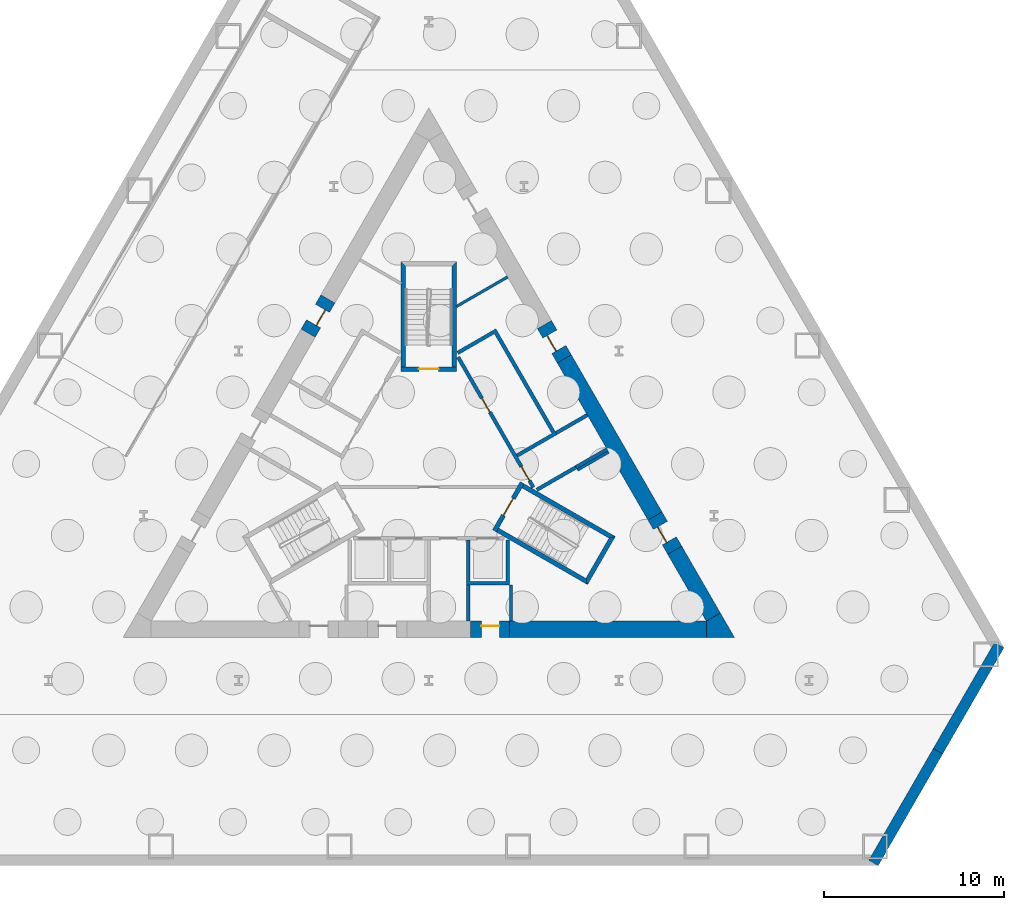
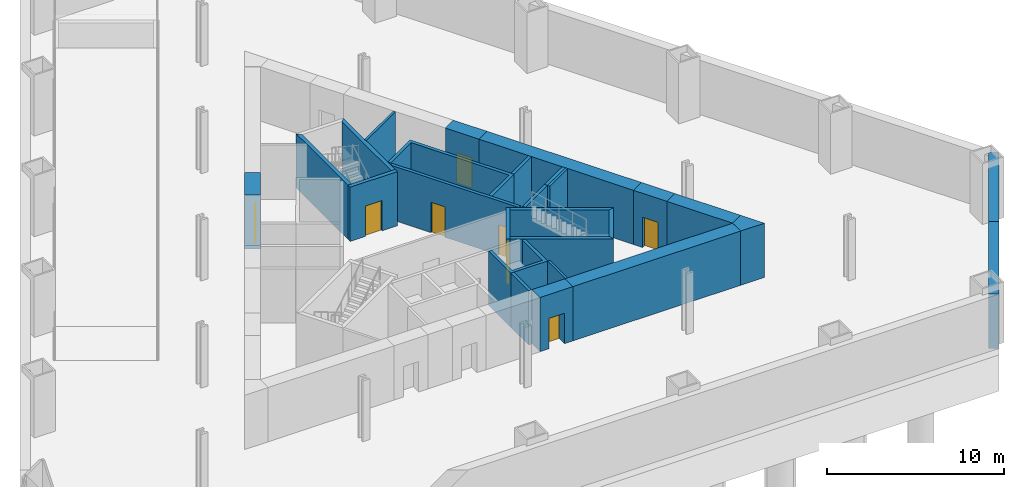
# One storey, part 3 of 6: 27 walls, 8 doors, 8 openings.
"""IFC4 building model written with IfcOpenShell, lengths in metres."""

from ifc_helpers import new_model, si_unit, direction, frame, frame_2d, origin, place, context, subcontext, project, spatial, polyline, rectangle, outline, extrude, material, layer, layer_set, type_object, element, fill, save


model = new_model("IFC4")

# Units and contexts
model_context = context("Model", 3, precision=1e-05, world=origin(), true_north=direction((0.0, 1.0)))
body_context = subcontext(model_context, "Body", "Model", "MODEL_VIEW")
ifc_project = project(units=[si_unit("LENGTHUNIT", "METRE"), si_unit("AREAUNIT", "SQUARE_METRE"), si_unit("VOLUMEUNIT", "CUBIC_METRE"), si_unit("PLANEANGLEUNIT", "RADIAN"), si_unit("MASSUNIT", "GRAM", prefix="KILO")], contexts=[model_context])

# Site, building, storey
site_placement = place(None, origin())
site = spatial("IfcSite", under=ifc_project, at=site_placement, CompositionType="ELEMENT")
building_placement = place(site_placement, origin())
building = spatial("IfcBuilding", under=site, at=building_placement, Name="Cormorant Prow Tower", CompositionType="ELEMENT")
storey_placement = place(building_placement, frame((0.0, 0.0, -8.39990234375)))
storey = spatial("IfcBuildingStorey", under=building, at=storey_placement, Name="B2", CompositionType="ELEMENT", Elevation=-8.39990234375)

# Walls
ifc_material_1 = material(Name="Concrete C45/55", Category="concrete")
ifc_layer_1 = layer(ifc_material_1, 0.60009765625)
ifc_layer_set_1 = layer_set([ifc_layer_1], Name="Concrete C45/55")
wall_type_1 = type_object("IfcWallType", Name="Basement retaining wall 600", PredefinedType="SOLIDWALL", material=ifc_layer_set_1)
for number, where, z_axis, x_axis, name in (
    (1, (24.740234375, -22.36669921875, 0.0), (0.0, 0.0, 1.0), (0.500008229653, 0.86602065234, 0.0), "Basement retaining wall 2 at B2"),
    (2, (28.153564453125, -16.45458984375, 0.0), (0.0, 0.0, 1.0), (0.499993492265, 0.866029160995, 0.0), "Basement retaining wall 3 at B2"),
):
    element("IfcWall", number, at=place(storey_placement, frame(where, z_axis=z_axis, x_axis=x_axis)), inside=storey, type_object=wall_type_1, Name=name, PredefinedType="SOLIDWALL", context=body_context, shape_type="SweptSolid", body=[
        extrude(rectangle(XDim=7.17333984375, YDim=0.60009765625, at=frame_2d((3.586669921875, 0.0))), origin(), (0.0, 0.0, 1.0), 3.75),
    ])
ifc_material_2 = material(Name="Gypsum board partition")
ifc_layer_2 = layer(ifc_material_2, 0.14990234375)
ifc_layer_set_2 = layer_set([ifc_layer_2], Name="Gypsum board partition")
wall_type_2 = type_object("IfcWallType", Name="Core partition 150", PredefinedType="PARTITIONING", material=ifc_layer_set_2)
wall_1_placement = place(storey_placement, frame((4.574951171875, -6.906005859375, 0.0), z_axis=(0.0, 0.0, 1.0), x_axis=(0.0, -1.0, 0.0)))
element("IfcWall", 3, at=wall_1_placement, inside=storey, type_object=wall_type_2, Name="Service room partition", PredefinedType="PARTITIONING", context=body_context, shape_type="SweptSolid", body=[
    extrude(rectangle(XDim=2.009033203125, YDim=0.14990234375, at=frame_2d((1.00439453125, 0.0))), origin(), (0.0, 0.0, 1.0), 3.75),
])
wall_2_placement = place(storey_placement, frame((8.268310546875, -0.509033203125, 0.0), z_axis=(0.0, 0.0, 1.0), x_axis=(0.866035824272, 0.499981950752, 0.0)))
element("IfcWall", 4, at=wall_2_placement, inside=storey, type_object=wall_type_2, Name="Service room partition", PredefinedType="PARTITIONING", context=body_context, shape_type="SweptSolid", body=[
    extrude(rectangle(XDim=2.0087890625, YDim=0.14990234375, at=frame_2d((1.00439453125, 0.0))), origin(), (0.0, 0.0, 1.0), 3.75),
])
wall_3_placement = place(storey_placement, frame((4.38525390625, 10.234375, 0.0), z_axis=(0.0, 0.0, 1.0), x_axis=(-0.866006439694, -0.50003284533, 0.0)))
element("IfcWall", 5, at=wall_3_placement, inside=storey, type_object=wall_type_2, Name="Service room partition", PredefinedType="PARTITIONING", context=body_context, shape_type="SweptSolid", body=[
    extrude(rectangle(XDim=3.290771484375, YDim=0.14990234375, at=frame_2d((1.6455078125, 0.0))), origin(), (0.0, 0.0, 1.0), 3.75),
])
ifc_material_3 = material(Name="Concrete 8000 psi", Category="concrete")
ifc_layer_3 = layer(ifc_material_3, 0.89990234375)
ifc_layer_set_3 = layer_set([ifc_layer_3], Name="Concrete 8000 psi")
wall_type_3 = type_object("IfcWallType", Name="Core shear wall 900", PredefinedType="SHEAR", material=ifc_layer_set_3)
wall_4_placement = place(storey_placement, frame((4.47998046875, -9.364990234375, 0.0), z_axis=(0.0, 0.0, 1.0), x_axis=(1.0, 0.0, 0.0)))
element("IfcWall", 6, at=wall_4_placement, inside=storey, type_object=wall_type_3, Name="Core wall", PredefinedType="SHEAR", context=body_context, shape_type="SweptSolid", body=[
    extrude(rectangle(XDim=10.961181640625, YDim=0.89990234375, at=frame_2d((5.48046875, 0.0))), origin(), (0.0, 0.0, 1.0), 3.75),
])
wall_5_placement = place(storey_placement, frame((12.5830078125, -3.064697265625, 0.0), z_axis=(0.0, 0.0, 1.0), x_axis=(-0.499991853951, 0.866030106857, 0.0)))
element("IfcWall", 7, at=wall_5_placement, inside=storey, type_object=wall_type_3, Name="Core wall", PredefinedType="SHEAR", context=body_context, shape_type="SweptSolid", body=[
    extrude(rectangle(XDim=10.093505859375, YDim=0.89990234375, at=frame_2d((5.046875, 0.0))), origin(), (0.0, 0.0, 1.0), 3.75),
])
wall_6_placement = place(storey_placement, frame((15.830810546875, -8.68994140625, 0.0), z_axis=(0.0, 0.0, 1.0), x_axis=(-0.499996331799, 0.866027521611, 0.0)))
element("IfcWall", 8, at=wall_6_placement, inside=storey, type_object=wall_type_3, Name="Core wall", PredefinedType="SHEAR", context=body_context, shape_type="SweptSolid", body=[
    extrude(rectangle(XDim=4.29541015625, YDim=0.89990234375, at=frame_2d((2.147705078125, 0.0))), origin(), (0.0, 0.0, 1.0), 3.75),
])
wall_7_placement = place(storey_placement, origin())
element("IfcWall", 9, at=wall_7_placement, inside=storey, type_object=wall_type_3, Name="Core wall corner", PredefinedType="SHEAR", context=body_context, shape_type="SweptSolid", body=[
    extrude(outline(polyline([(15.441162109375, -9.81494140625), (15.441162109375, -8.9150390625), (16.220703125, -8.465087890625), (17.0, -9.81494140625), (15.441162109375, -9.81494140625)])), origin(), (0.0, 0.0, 1.0), 3.75),
])

# Wall, opening, door
wall_8_placement = place(storey_placement, frame((2.320068359375, -9.364990234375, 0.0), z_axis=(0.0, 0.0, 1.0), x_axis=(1.0, 0.0, 0.0)))
wall_8 = element("IfcWall", 10, at=wall_8_placement, inside=storey, type_object=wall_type_3, Name="Core wall door panel", PredefinedType="SHEAR", context=body_context, shape_type="SweptSolid", body=[
    extrude(rectangle(XDim=2.159912109375, YDim=0.89990234375, at=frame_2d((1.080078125, 0.0))), origin(), (0.0, 0.0, 1.0), 3.75),
])
opening_1_placement = place(wall_8_placement, frame((0.60009765625, 0.0, 0.0)))
opening_1 = element("IfcOpeningElement", 11, at=opening_1_placement, cuts=wall_8, Name="Opening B2-C14", PredefinedType="OPENING", context=body_context, shape_type="SweptSolid", body=[
    extrude(rectangle(XDim=1.0, YDim=2.10009765625, at=frame_2d((0.5, 1.050048828125))), frame((0.0, 0.4599609375, 0.0), z_axis=(0.0, -1.0, 0.0), x_axis=(1.0, 0.0, 0.0)), (0.0, 0.0, 1.0), 0.919921875),
])
ifc_material_4 = material(Name="Painted steel", Category="steel")
door_type_1 = type_object("IfcDoorType", Name="Service door 1000x2100", OperationType="NOTDEFINED", PredefinedType="DOOR", material=ifc_material_4)
door_1_placement = place(opening_1_placement, origin())
door_1 = element("IfcDoor", 12, at=door_1_placement, inside=storey, type_object=door_type_1, Name="Core door, Telecom room", OperationType="SINGLE_SWING_LEFT", OverallHeight=2.10009765625, OverallWidth=1.0, PredefinedType="DOOR", context=body_context, shape_type="SweptSolid", body=[
    extrude(rectangle(XDim=1.0, YDim=2.10009765625, at=frame_2d((0.5, 1.050048828125))), frame((0.0, 0.205078125, 0.0), z_axis=(0.0, -1.0, 0.0), x_axis=(1.0, 0.0, 0.0)), (0.0, 0.0, 1.0), 0.050048828125),
])
fill(opening_1, door_1)

wall_9_placement = place(storey_placement, frame((13.68310546875, -4.969970703125, 0.0), z_axis=(0.0, 0.0, 1.0), x_axis=(-0.50002983664, 0.866008176907, 0.0)))
wall_9 = element("IfcWall", 13, at=wall_9_placement, inside=storey, type_object=wall_type_3, Name="Core wall door panel", PredefinedType="SHEAR", context=body_context, shape_type="SweptSolid", body=[
    extrude(rectangle(XDim=2.199951171875, YDim=0.89990234375, at=frame_2d((1.10009765625, 0.0))), origin(), (0.0, 0.0, 1.0), 3.75),
])
opening_2_placement = place(wall_9_placement, frame((0.60009765625, 0.0, 0.0)))
opening_2 = element("IfcOpeningElement", 14, at=opening_2_placement, cuts=wall_9, Name="Opening B2-C16", PredefinedType="OPENING", context=body_context, shape_type="SweptSolid", body=[
    extrude(rectangle(XDim=1.0, YDim=2.10009765625, at=frame_2d((0.5, 1.050048828125))), frame((0.0, 0.4599609375, 0.0), z_axis=(0.0, -1.0, 0.0), x_axis=(1.0, 0.0, 0.0)), (0.0, 0.0, 1.0), 0.919921875),
])
door_2_placement = place(opening_2_placement, origin())
door_2 = element("IfcDoor", 15, at=door_2_placement, inside=storey, type_object=door_type_1, Name="Core door, Cleaners store", OperationType="SINGLE_SWING_LEFT", OverallHeight=2.10009765625, OverallWidth=1.0, PredefinedType="DOOR", context=body_context, shape_type="SweptSolid", body=[
    extrude(rectangle(XDim=1.0, YDim=2.10009765625, at=frame_2d((0.5, 1.050048828125))), frame((0.0, 0.205078125, 0.0), z_axis=(0.0, -1.0, 0.0), x_axis=(1.0, 0.0, 0.0)), (0.0, 0.0, 1.0), 0.050048828125),
])
fill(opening_2, door_2)

wall_10_placement = place(storey_placement, frame((7.536376953125, 5.676513671875, 0.0), z_axis=(0.0, 0.0, 1.0), x_axis=(-0.50002983664, 0.866008176907, 0.0)))
wall_10 = element("IfcWall", 16, at=wall_10_placement, inside=storey, type_object=wall_type_3, Name="Core wall door panel", PredefinedType="SHEAR", context=body_context, shape_type="SweptSolid", body=[
    extrude(rectangle(XDim=2.199951171875, YDim=0.89990234375, at=frame_2d((1.10009765625, 0.0))), origin(), (0.0, 0.0, 1.0), 3.75),
])
opening_3_placement = place(wall_10_placement, frame((0.60009765625, 0.0, 0.0)))
opening_3 = element("IfcOpeningElement", 17, at=opening_3_placement, cuts=wall_10, Name="Opening B2-C17", PredefinedType="OPENING", context=body_context, shape_type="SweptSolid", body=[
    extrude(rectangle(XDim=1.0, YDim=2.10009765625, at=frame_2d((0.5, 1.050048828125))), frame((0.0, 0.4599609375, 0.0), z_axis=(0.0, -1.0, 0.0), x_axis=(1.0, 0.0, 0.0)), (0.0, 0.0, 1.0), 0.919921875),
])
door_3_placement = place(opening_3_placement, origin())
door_3 = element("IfcDoor", 18, at=door_3_placement, inside=storey, type_object=door_type_1, Name="Core door, Electrical room", OperationType="SINGLE_SWING_LEFT", OverallHeight=2.10009765625, OverallWidth=1.0, PredefinedType="DOOR", context=body_context, shape_type="SweptSolid", body=[
    extrude(rectangle(XDim=1.0, YDim=2.10009765625, at=frame_2d((0.5, 1.050048828125))), frame((0.0, 0.205078125, 0.0), z_axis=(0.0, -1.0, 0.0), x_axis=(1.0, 0.0, 0.0)), (0.0, 0.0, 1.0), 0.050048828125),
])
fill(opening_3, door_3)

wall_11_placement = place(storey_placement, frame((-5.611328125, 9.0107421875, 0.0), z_axis=(0.0, 0.0, 1.0), x_axis=(-0.50002983664, -0.866008176907, 0.0)))
wall_11 = element("IfcWall", 19, at=wall_11_placement, inside=storey, type_object=wall_type_3, Name="Core wall door panel", PredefinedType="SHEAR", context=body_context, shape_type="SweptSolid", body=[
    extrude(rectangle(XDim=2.199951171875, YDim=0.89990234375, at=frame_2d((1.10009765625, 0.0))), origin(), (0.0, 0.0, 1.0), 3.75),
])
opening_4_placement = place(wall_11_placement, frame((0.60009765625, 0.0, 0.0)))
opening_4 = element("IfcOpeningElement", 20, at=opening_4_placement, cuts=wall_11, Name="Opening B2-C18", PredefinedType="OPENING", context=body_context, shape_type="SweptSolid", body=[
    extrude(rectangle(XDim=1.0, YDim=2.10009765625, at=frame_2d((0.5, 1.050048828125))), frame((0.0, 0.4599609375, 0.0), z_axis=(0.0, -1.0, 0.0), x_axis=(1.0, 0.0, 0.0)), (0.0, 0.0, 1.0), 0.919921875),
])
door_4_placement = place(opening_4_placement, origin())
door_4 = element("IfcDoor", 21, at=door_4_placement, inside=storey, type_object=door_type_1, Name="Core door, Telecom room", OperationType="SINGLE_SWING_RIGHT", OverallHeight=2.10009765625, OverallWidth=1.0, PredefinedType="DOOR", context=body_context, shape_type="SweptSolid", body=[
    extrude(rectangle(XDim=1.0, YDim=2.10009765625, at=frame_2d((0.5, 1.050048828125))), frame((0.0, 0.205078125, 0.0), z_axis=(0.0, -1.0, 0.0), x_axis=(1.0, 0.0, 0.0)), (0.0, 0.0, 1.0), 0.050048828125),
])
fill(opening_4, door_4)

# Wall, openings, doors
ifc_material_5 = material(Name="Concrete 5000 psi", Category="concrete")
ifc_layer_4 = layer(ifc_material_5, 0.199951171875)
ifc_layer_set_4 = layer_set([ifc_layer_4], Name="Concrete 5000 psi")
wall_type_4 = type_object("IfcWallType", Name="Lift lobby wall 200", PredefinedType="SOLIDWALL", material=ifc_layer_set_4)
wall_12_placement = place(storey_placement, frame((5.817138671875, -1.4755859375, 0.0), z_axis=(0.0, 0.0, 1.0), x_axis=(-0.500002616675, 0.866023893041, 0.0)))
wall_12 = element("IfcWall", 22, at=wall_12_placement, inside=storey, type_object=wall_type_4, Name="Lift lobby wall, ENE block", PredefinedType="SOLIDWALL", context=body_context, shape_type="SweptSolid", body=[
    extrude(rectangle(XDim=8.373046875, YDim=0.199951171875, at=frame_2d((4.1865234375, 0.0))), origin(), (0.0, 0.0, 1.0), 3.75),
])
opening_5_placement = place(wall_12_placement, frame((0.4365234375, 0.0, 0.0)))
opening_5 = element("IfcOpeningElement", 23, at=opening_5_placement, cuts=wall_12, Name="Opening B2-C05", PredefinedType="OPENING", context=body_context, shape_type="SweptSolid", body=[
    extrude(rectangle(XDim=0.89990234375, YDim=2.10009765625, at=frame_2d((0.449951171875, 1.050048828125))), frame((0.0, 0.10986328125, 0.0), z_axis=(0.0, -1.0, 0.0), x_axis=(1.0, 0.0, 0.0)), (0.0, 0.0, 1.0), 0.219970703125),
])
opening_6_placement = place(wall_12_placement, frame((4.836669921875, 0.0, 0.0)))
opening_6 = element("IfcOpeningElement", 24, at=opening_6_placement, cuts=wall_12, Name="Opening B2-C06", PredefinedType="OPENING", context=body_context, shape_type="SweptSolid", body=[
    extrude(rectangle(XDim=0.89990234375, YDim=2.10009765625, at=frame_2d((0.449951171875, 1.050048828125))), frame((0.0, 0.10986328125, 0.0), z_axis=(0.0, -1.0, 0.0), x_axis=(1.0, 0.0, 0.0)), (0.0, 0.0, 1.0), 0.219970703125),
])
ifc_material_6 = material(Name="Painted steel", Category="steel")
door_type_2 = type_object("IfcDoorType", Name="Service door 900x2100", OperationType="NOTDEFINED", PredefinedType="DOOR", material=ifc_material_6)
door_5_placement = place(opening_5_placement, origin())
door_5 = element("IfcDoor", 25, at=door_5_placement, inside=storey, type_object=door_type_2, Name="Service door, Pantry store", OperationType="SINGLE_SWING_LEFT", OverallHeight=2.10009765625, OverallWidth=0.89990234375, PredefinedType="DOOR", context=body_context, shape_type="SweptSolid", body=[
    extrude(rectangle(XDim=0.89990234375, YDim=2.10009765625, at=frame_2d((0.449951171875, 1.050048828125))), frame((0.0, 0.02490234375, 0.0), z_axis=(0.0, -1.0, 0.0), x_axis=(1.0, 0.0, 0.0)), (0.0, 0.0, 1.0), 0.050048828125),
])
fill(opening_5, door_5)
door_6_placement = place(opening_6_placement, origin())
door_6 = element("IfcDoor", 26, at=door_6_placement, inside=storey, type_object=door_type_2, Name="Service door, Telecom room", OperationType="SINGLE_SWING_RIGHT", OverallHeight=2.10009765625, OverallWidth=0.89990234375, PredefinedType="DOOR", context=body_context, shape_type="SweptSolid", body=[
    extrude(rectangle(XDim=0.89990234375, YDim=2.10009765625, at=frame_2d((0.449951171875, 1.050048828125))), frame((0.0, 0.02490234375, 0.0), z_axis=(0.0, -1.0, 0.0), x_axis=(1.0, 0.0, 0.0)), (0.0, 0.0, 1.0), 0.050048828125),
])
fill(opening_6, door_6)

# Walls
ifc_material_7 = material(Name="Concrete 8000 psi", Category="concrete")
ifc_layer_5 = layer(ifc_material_7, 0.199951171875)
ifc_layer_set_5 = layer_set([ifc_layer_5], Name="Concrete 8000 psi")
wall_type_5 = type_object("IfcWallType", Name="Lift shaft wall 200", PredefinedType="SHEAR", material=ifc_layer_set_5)
wall_13_placement = place(storey_placement, origin())
element("IfcWall", 27, at=wall_13_placement, inside=storey, type_object=wall_type_5, Name="Lift shaft walls, S block", PredefinedType="SHEAR", context=body_context, shape_type="SweptSolid", body=[
    extrude(outline(polyline([(4.5, -4.39990234375), (4.5, -6.906005859375), (2.10009765625, -6.906005859375), (2.10009765625, -4.39990234375), (2.300048828125, -4.39990234375), (2.300048828125, -6.699951171875), (4.300048828125, -6.699951171875), (4.300048828125, -4.39990234375), (4.5, -4.39990234375)])), origin(), (0.0, 0.0, 1.0), 3.75),
])
wall_14_placement = place(storey_placement, frame((2.199951171875, -6.906005859375, 0.0), z_axis=(0.0, 0.0, 1.0), x_axis=(0.0, -1.0, 0.0)))
element("IfcWall", 28, at=wall_14_placement, inside=storey, type_object=wall_type_5, Name="Store side wall", PredefinedType="SHEAR", context=body_context, shape_type="SweptSolid", body=[
    extrude(rectangle(XDim=2.009033203125, YDim=0.199951171875, at=frame_2d((1.00439453125, 0.0))), origin(), (0.0, 0.0, 1.0), 3.75),
])
wall_15_placement = place(storey_placement, origin())
element("IfcWall", 29, at=wall_15_placement, inside=storey, type_object=wall_type_5, Name="Lift shaft walls, ENE block", PredefinedType="SHEAR", context=body_context, shape_type="SweptSolid", body=[
    extrude(outline(polyline([(1.560546875, 6.09716796875), (3.730712890625, 7.35009765625), (7.130859375, 1.461181640625), (4.96044921875, 0.2080078125), (4.860595703125, 0.38134765625), (6.852294921875, 1.53125), (3.65234375, 7.073974609375), (1.660400390625, 5.923828125), (1.560546875, 6.09716796875)])), origin(), (0.0, 0.0, 1.0), 3.75),
])
wall_16_placement = place(storey_placement, origin())
element("IfcWall", 30, at=wall_16_placement, inside=storey, type_object=wall_type_5, Name="Lift shaft walls, ENE block", PredefinedType="SHEAR", context=body_context, shape_type="SweptSolid", body=[
    extrude(outline(polyline([(8.230712890625, -0.444091796875), (6.060546875, -1.697021484375), (5.96044921875, -1.52392578125), (8.130859375, -0.27099609375), (8.230712890625, -0.444091796875)])), origin(), (0.0, 0.0, 1.0), 3.75),
])
wall_17_placement = place(storey_placement, frame((8.180908203125, -0.357421875, 0.0), z_axis=(0.0, 0.0, 1.0), x_axis=(0.866035824272, 0.499981950752, 0.0)))
element("IfcWall", 31, at=wall_17_placement, inside=storey, type_object=wall_type_5, Name="Store side wall", PredefinedType="SHEAR", context=body_context, shape_type="SweptSolid", body=[
    extrude(rectangle(XDim=2.0087890625, YDim=0.199951171875, at=frame_2d((1.00439453125, 0.0))), origin(), (0.0, 0.0, 1.0), 3.75),
])
wall_18_placement = place(storey_placement, frame((7.080810546875, 1.547607421875, 0.0), z_axis=(0.0, 0.0, 1.0), x_axis=(0.865983199114, 0.50007309351, 0.0)))
element("IfcWall", 32, at=wall_18_placement, inside=storey, type_object=wall_type_5, Name="Store side wall", PredefinedType="SHEAR", context=body_context, shape_type="SweptSolid", body=[
    extrude(rectangle(XDim=2.009033203125, YDim=0.199951171875, at=frame_2d((1.00439453125, 0.0))), origin(), (0.0, 0.0, 1.0), 3.75),
])
ifc_material_8 = material(Name="Concrete 8000 psi", Category="concrete")
ifc_layer_6 = layer(ifc_material_8, 0.25)
ifc_layer_set_6 = layer_set([ifc_layer_6], Name="Concrete 8000 psi")
wall_type_6 = type_object("IfcWallType", Name="Stair wall 250", PredefinedType="SHEAR", material=ifc_layer_set_6)
wall_19_placement = place(storey_placement, origin())
element("IfcWall", 33, at=wall_19_placement, inside=storey, type_object=wall_type_6, Name="Stair ST2 enclosure wall (flank)", PredefinedType="SHEAR", context=body_context, shape_type="SweptSolid", body=[
    extrude(outline(polyline([(3.76318359375, -3.95556640625), (8.82958984375, -6.880615234375), (8.738037109375, -6.5390625), (3.88818359375, -3.739013671875), (3.76318359375, -3.95556640625)])), origin(), (0.0, 0.0, 1.0), 3.75),
])
wall_20_placement = place(storey_placement, origin())
element("IfcWall", 34, at=wall_20_placement, inside=storey, type_object=wall_type_6, Name="Stair ST2 enclosure wall (end)", PredefinedType="SHEAR", context=body_context, shape_type="SweptSolid", body=[
    extrude(outline(polyline([(8.82958984375, -6.880615234375), (10.37353515625, -4.206298828125), (10.031982421875, -4.2978515625), (8.738037109375, -6.5390625), (8.82958984375, -6.880615234375)])), origin(), (0.0, 0.0, 1.0), 3.75),
])
wall_21_placement = place(storey_placement, origin())
element("IfcWall", 35, at=wall_21_placement, inside=storey, type_object=wall_type_6, Name="Stair ST2 enclosure wall (flank)", PredefinedType="SHEAR", context=body_context, shape_type="SweptSolid", body=[
    extrude(outline(polyline([(10.031982421875, -4.2978515625), (10.37353515625, -4.206298828125), (5.30712890625, -1.28125), (5.18212890625, -1.497802734375), (10.031982421875, -4.2978515625)])), origin(), (0.0, 0.0, 1.0), 3.75),
])

# Wall, opening, door
wall_22_placement = place(storey_placement, frame((3.655029296875, -3.89306640625, 0.0), z_axis=(0.0, 0.0, 1.0), x_axis=(0.499982516597, 0.866035497597, 0.0)))
wall_22 = element("IfcWall", 36, at=wall_22_placement, inside=storey, type_object=wall_type_6, Name="Stair ST2 door wall", PredefinedType="SHEAR", context=body_context, shape_type="SweptSolid", body=[
    extrude(rectangle(XDim=3.087890625, YDim=0.25, at=frame_2d((1.5439453125, 0.0))), origin(), (0.0, 0.0, 1.0), 3.75),
])
opening_7_placement = place(wall_22_placement, frame((0.993896484375, 0.0, 0.0)))
opening_7 = element("IfcOpeningElement", 37, at=opening_7_placement, cuts=wall_22, Name="Opening B2-C11", PredefinedType="OPENING", context=body_context, shape_type="SweptSolid", body=[
    extrude(rectangle(XDim=1.10009765625, YDim=2.10009765625, at=frame_2d((0.550048828125, 1.050048828125))), frame((0.0, 0.135009765625, 0.0), z_axis=(0.0, -1.0, 0.0), x_axis=(1.0, 0.0, 0.0)), (0.0, 0.0, 1.0), 0.27001953125),
])
ifc_material_9 = material(Name="Painted steel", Category="steel")
door_type_3 = type_object("IfcDoorType", Name="Stair door 1100x2100", OperationType="NOTDEFINED", PredefinedType="DOOR", material=ifc_material_9)
door_7_placement = place(opening_7_placement, origin())
door_7 = element("IfcDoor", 38, at=door_7_placement, inside=storey, type_object=door_type_3, Name="Stair ST2 door", OperationType="SINGLE_SWING_RIGHT", OverallHeight=2.10009765625, OverallWidth=1.10009765625, PredefinedType="DOOR", context=body_context, shape_type="SweptSolid", body=[
    extrude(rectangle(XDim=1.10009765625, YDim=2.10009765625, at=frame_2d((0.550048828125, 1.050048828125))), frame((0.0, 0.02490234375, 0.0), z_axis=(0.0, -1.0, 0.0), x_axis=(1.0, 0.0, 0.0)), (0.0, 0.0, 1.0), 0.050048828125),
])
fill(opening_7, door_7)

# Walls
wall_23_placement = place(storey_placement, origin())
element("IfcWall", 39, at=wall_23_placement, inside=storey, type_object=wall_type_6, Name="Stair ST3 enclosure wall (flank)", PredefinedType="SHEAR", context=body_context, shape_type="SweptSolid", body=[
    extrude(outline(polyline([(1.5439453125, 5.23681640625), (1.5439453125, 11.0869140625), (1.2939453125, 10.8369140625), (1.2939453125, 5.23681640625), (1.5439453125, 5.23681640625)])), origin(), (0.0, 0.0, 1.0), 3.75),
])
wall_24_placement = place(storey_placement, origin())
element("IfcWall", 40, at=wall_24_placement, inside=storey, type_object=wall_type_6, Name="Stair ST3 enclosure wall (flank)", PredefinedType="SHEAR", context=body_context, shape_type="SweptSolid", body=[
    extrude(outline(polyline([(-1.2939453125, 10.8369140625), (-1.5439453125, 11.0869140625), (-1.5439453125, 5.23681640625), (-1.2939453125, 5.23681640625), (-1.2939453125, 10.8369140625)])), origin(), (0.0, 0.0, 1.0), 3.75),
])

# Wall, opening, door
wall_25_placement = place(storey_placement, frame((1.5439453125, 5.11181640625, 0.0), z_axis=(0.0, 0.0, 1.0), x_axis=(-1.0, 0.0, 0.0)))
wall_25 = element("IfcWall", 41, at=wall_25_placement, inside=storey, type_object=wall_type_6, Name="Stair ST3 door wall", PredefinedType="SHEAR", context=body_context, shape_type="SweptSolid", body=[
    extrude(rectangle(XDim=3.087890625, YDim=0.25, at=frame_2d((1.5439453125, 0.0))), origin(), (0.0, 0.0, 1.0), 3.75),
])
opening_8_placement = place(wall_25_placement, frame((0.993896484375, 0.0, 0.0)))
opening_8 = element("IfcOpeningElement", 42, at=opening_8_placement, cuts=wall_25, Name="Opening B2-C12", PredefinedType="OPENING", context=body_context, shape_type="SweptSolid", body=[
    extrude(rectangle(XDim=1.10009765625, YDim=2.10009765625, at=frame_2d((0.550048828125, 1.050048828125))), frame((0.0, 0.135009765625, 0.0), z_axis=(0.0, -1.0, 0.0), x_axis=(1.0, 0.0, 0.0)), (0.0, 0.0, 1.0), 0.27001953125),
])
door_8_placement = place(opening_8_placement, origin())
door_8 = element("IfcDoor", 43, at=door_8_placement, inside=storey, type_object=door_type_3, Name="Stair ST3 door", OperationType="SINGLE_SWING_RIGHT", OverallHeight=2.10009765625, OverallWidth=1.10009765625, PredefinedType="DOOR", context=body_context, shape_type="SweptSolid", body=[
    extrude(rectangle(XDim=1.10009765625, YDim=2.10009765625, at=frame_2d((0.550048828125, 1.050048828125))), frame((0.0, 0.02490234375, 0.0), z_axis=(0.0, -1.0, 0.0), x_axis=(1.0, 0.0, 0.0)), (0.0, 0.0, 1.0), 0.050048828125),
])
fill(opening_8, door_8)

save(model, "model.ifc")
